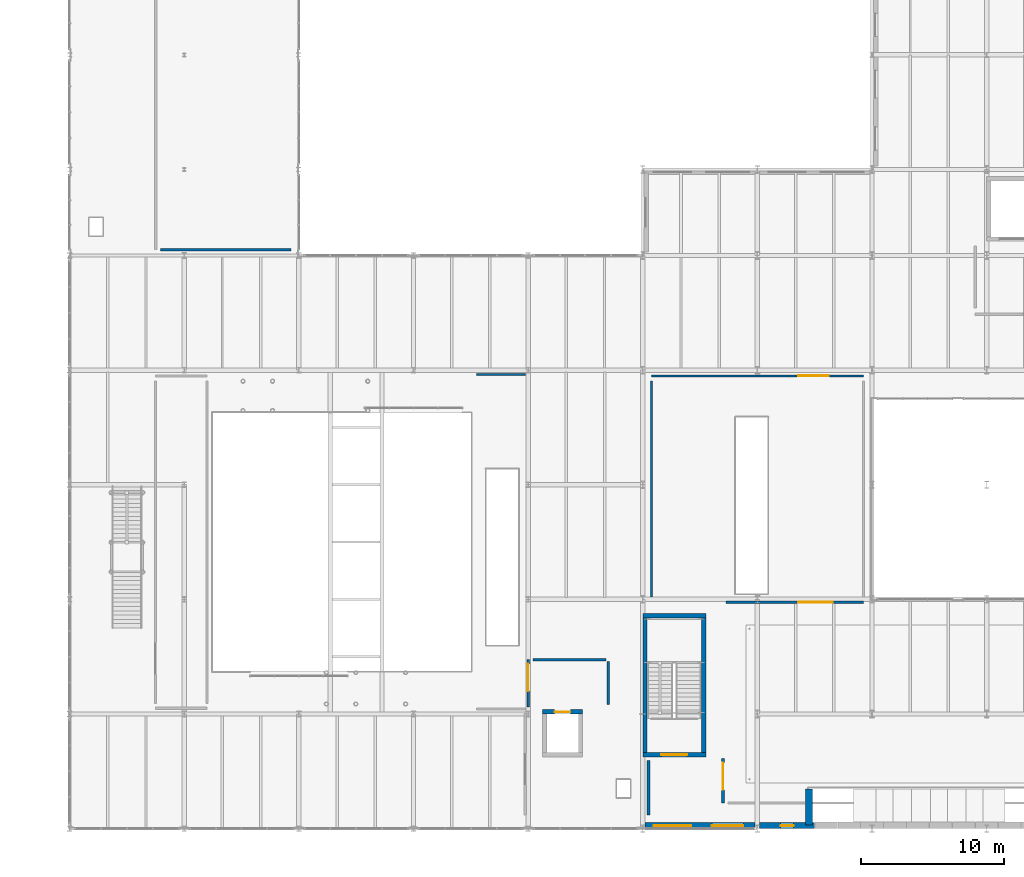
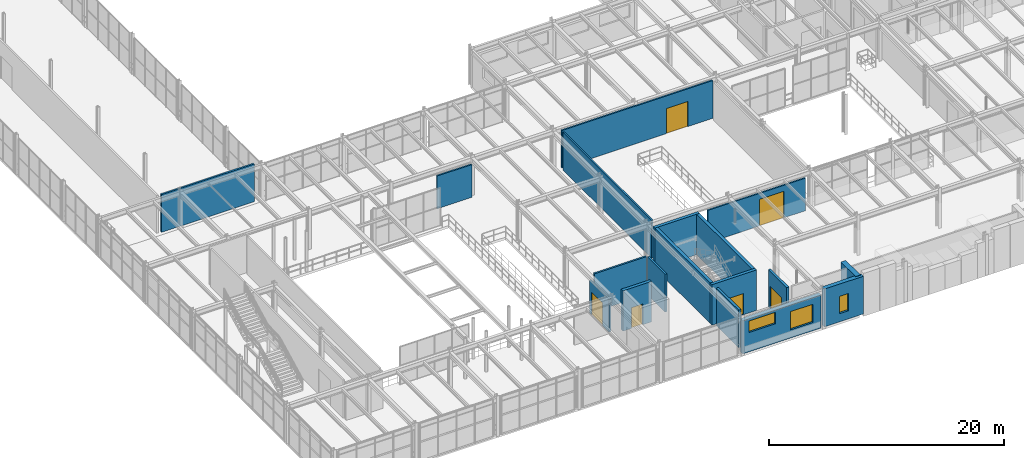
# One storey, part 84 of 122: 18 walls, 6 doors, 3 windows, 9 openings.
"""IFC4 building model written with IfcOpenShell, lengths in metres."""

import ifcopenshell
import ifcopenshell.guid

model = None  # the IFC model being written
_history = None  # IfcOwnerHistory: only IFC2X3 demands one
_inside = {}  # id of a spatial element -> (the spatial element, [elements in it])
_under = {}  # id of a project, library or spatial element -> (it, [spatial elements below it])
_declared = {}  # id of a project -> (the project, [libraries it declares])
_typed = {}  # id of a type object -> (the type object, [elements of that type])
_made_of = {}  # id of a material, layer set ... -> (it, [elements and type objects made of it])


def new_model(schema):
    """Start an empty IFC model of exactly this schema.

    Asked for "IFC4X3", IfcOpenShell would pick the latest addendum, in which some entities
    have other attributes; the version numbers below select the first issue.
    IFC2X3 requires an IfcOwnerHistory on every rooted entity: one is made here for all.
    """
    global model, _history
    if schema == "IFC4X3":
        model = ifcopenshell.file(schema_version=(4, 3, 0, 0))
    else:
        model = ifcopenshell.file(schema=schema)
    _inside.clear()
    _under.clear()
    _declared.clear()
    _typed.clear()
    _made_of.clear()
    _history = None
    if model.schema == "IFC2X3":
        org = make("IfcOrganization", Name="unknown")
        user = make(
            "IfcPersonAndOrganization",
            ThePerson=make("IfcPerson", FamilyName="unknown"),
            TheOrganization=org,
        )
        app = make(
            "IfcApplication",
            ApplicationDeveloper=org,
            Version="unknown",
            ApplicationFullName="unknown",
            ApplicationIdentifier="unknown",
        )
        _history = make(
            "IfcOwnerHistory",
            OwningUser=user,
            OwningApplication=app,
            ChangeAction="ADDED",
            CreationDate=0,
        )
    return model


def make(cls, **values):
    """One entity of the class cls with the attributes given. An attribute that is None is left unset."""
    return model.create_entity(
        cls, **{name: value for name, value in values.items() if value is not None}
    )


def rooted(cls, **values):
    """An entity with a GlobalId (a new one), such as an element, a storey or a relation."""
    return make(cls, GlobalId=ifcopenshell.guid.new(), OwnerHistory=_history, **values)


def si_unit(unit_type, name, prefix=None):
    """IfcSIUnit, for example si_unit("LENGTHUNIT", "METRE", prefix="MILLI")."""
    return make("IfcSIUnit", UnitType=unit_type, Prefix=prefix, Name=name)


def assignment(units):
    """IfcUnitAssignment: the units of a project."""
    return None if units is None else make("IfcUnitAssignment", Units=units)


def point(xyz):
    """IfcCartesianPoint."""
    return None if xyz is None else make("IfcCartesianPoint", Coordinates=xyz)


def direction(xyz):
    """IfcDirection."""
    return None if xyz is None else make("IfcDirection", DirectionRatios=xyz)


def frame(location, z_axis=None, x_axis=None):
    """IfcAxis2Placement3D, a coordinate frame: its origin and axes. An axis left out is left unset."""
    return make(
        "IfcAxis2Placement3D",
        Location=point(location),
        Axis=direction(z_axis),
        RefDirection=direction(x_axis),
    )


def frame_2d(location, x_axis=None):
    """IfcAxis2Placement2D, a coordinate frame in the plane: its origin and x axis."""
    return make(
        "IfcAxis2Placement2D", Location=point(location), RefDirection=direction(x_axis)
    )


def origin():
    """The frame at (0, 0, 0) with its axes left unset."""
    return frame((0.0, 0.0, 0.0))


def place(relative_to, where):
    """IfcLocalPlacement: puts the frame where relative to a parent placement (None: the world)."""
    return make(
        "IfcLocalPlacement", PlacementRelTo=relative_to, RelativePlacement=where
    )


def context(
    kind, dimensions, precision=None, world=None, true_north=None, identifier=None
):
    """IfcGeometricRepresentationContext, for example the 3D "Model" context."""
    return make(
        "IfcGeometricRepresentationContext",
        ContextIdentifier=identifier,
        ContextType=kind,
        CoordinateSpaceDimension=dimensions,
        Precision=precision,
        WorldCoordinateSystem=world,
        TrueNorth=true_north,
    )


def subcontext(parent, identifier, kind, view, scale=None):
    """IfcGeometricRepresentationSubContext, for example "Body" below "Model"."""
    return make(
        "IfcGeometricRepresentationSubContext",
        ContextIdentifier=identifier,
        ContextType=kind,
        ParentContext=parent,
        TargetScale=scale,
        TargetView=view,
    )


def project(units=None, contexts=None):
    """IfcProject with its units and contexts."""
    return rooted(
        "IfcProject",
        Name="project",
        RepresentationContexts=contexts,
        UnitsInContext=assignment(units),
    )


def spatial(cls, under=None, at=None, **own):
    """A site, building, storey or space (cls), placed at a placement, below another one or the project."""
    s = rooted(cls, ObjectPlacement=at, **own)
    if under is not None:
        _under.setdefault(under.id(), (under, []))[1].append(s)
    return s


def profile(cls, at=None, kind="AREA", **sizes):
    """A parametric profile (cls). Its sizes go by their IFC names, for example OverallWidth=200.0."""
    return make(cls, ProfileType=kind, Position=at, **sizes)


def rectangle(**sizes):
    """IfcRectangleProfileDef."""
    return profile("IfcRectangleProfileDef", **sizes)


def extrude(swept, where, along, depth):
    """IfcExtrudedAreaSolid: the profile swept, set in the frame where, extruded along a direction by depth."""
    return make(
        "IfcExtrudedAreaSolid",
        SweptArea=swept,
        Position=where,
        ExtrudedDirection=direction(along),
        Depth=depth,
    )


def shape(context_of_items, identifier, shape_type, items):
    """IfcShapeRepresentation: the items that make up one representation, for example the "Body"."""
    return make(
        "IfcShapeRepresentation",
        ContextOfItems=context_of_items,
        RepresentationIdentifier=identifier,
        RepresentationType=shape_type,
        Items=items,
    )


def material(Name=None, Category=None):
    """IfcMaterial."""
    return make("IfcMaterial", Name=Name, Category=Category)


def layer(
    of_material, thickness, ventilated=None, Name=None, Category=None, Priority=None
):
    """IfcMaterialLayer: one layer of a wall or slab, of a material (None: an air gap)."""
    return make(
        "IfcMaterialLayer",
        Material=of_material,
        LayerThickness=thickness,
        IsVentilated=ventilated,
        Name=Name,
        Category=Category,
        Priority=Priority,
    )


def layer_set(layers, Name=None):
    """IfcMaterialLayerSet."""
    return make("IfcMaterialLayerSet", MaterialLayers=layers, LayerSetName=Name)


def made_of(thing, what):
    """Note that an element or type object is made of a material, layer set ...; save() writes the relation."""
    if what is not None:
        _made_of.setdefault(what.id(), (what, []))[1].append(thing)
    return thing


def type_object(cls, material=None, **own):
    """A type object (cls), such as IfcWallType, which elements share."""
    return made_of(rooted(cls, **own), material)


def element(
    cls,
    number,
    at=None,
    inside=None,
    cuts=None,
    type_object=None,
    material=None,
    context=None,
    identifier="Body",
    shape_type=None,
    held_by="IfcProductDefinitionShape",
    body=None,
    shapes=None,
    **own,
):
    """One element of the class cls, such as IfcWall. Its Tag is "e" and its number.

    at: its placement. inside: the storey or other place that contains it. cuts: it is an
    opening in that element (IfcRelVoidsElement). A single representation is given by context,
    identifier, shape_type and body (its items); several are given by shapes. held_by: the class
    of the entity that holds the representations. save() writes the other relations.
    """
    e = rooted(cls, Tag="e%d" % number, ObjectPlacement=at, **own)
    if body is not None:
        shapes = [shape(context, identifier, shape_type, body)]
    if shapes is not None:
        e.Representation = make(held_by, Representations=shapes)
    if inside is not None:
        _inside.setdefault(inside.id(), (inside, []))[1].append(e)
    if cuts is not None:
        rooted(
            "IfcRelVoidsElement", RelatingBuildingElement=cuts, RelatedOpeningElement=e
        )
    if type_object is not None:
        _typed.setdefault(type_object.id(), (type_object, []))[1].append(e)
    return made_of(e, material)


def fill(opening, filler):
    """IfcRelFillsElement: the door or window that sits in an opening."""
    return rooted(
        "IfcRelFillsElement",
        RelatingOpeningElement=opening,
        RelatedBuildingElement=filler,
    )


def aggregate(whole, parts):
    """IfcRelAggregates: a whole, such as a stair, and the parts it consists of."""
    return rooted("IfcRelAggregates", RelatingObject=whole, RelatedObjects=parts)


def save(model, path):
    """Write the relations noted so far, then the file.

    IfcRelAggregates (storeys below a building ...), IfcRelContainedInSpatialStructure (elements
    in a storey), IfcRelDefinesByType, IfcRelAssociatesMaterial and IfcRelDeclares: one each for
    every whole, place, type object, material and project.
    """
    for whole, parts in _under.values():
        aggregate(whole, parts)
    for where, things in _inside.values():
        rooted(
            "IfcRelContainedInSpatialStructure",
            RelatedElements=things,
            RelatingStructure=where,
        )
    for kind, things in _typed.values():
        rooted("IfcRelDefinesByType", RelatedObjects=things, RelatingType=kind)
    for what, things in _made_of.values():
        rooted("IfcRelAssociatesMaterial", RelatedObjects=things, RelatingMaterial=what)
    for by, libraries in _declared.values():
        rooted("IfcRelDeclares", RelatingContext=by, RelatedDefinitions=libraries)
    model.write(path)


model = new_model("IFC4")

# Units and contexts
model_context = context("Model", 3, precision=1e-05, world=origin(), true_north=direction((0.0, 1.0)))
body_context = subcontext(model_context, "Body", "Model", "MODEL_VIEW")
ifc_project = project(units=[si_unit("LENGTHUNIT", "METRE"), si_unit("AREAUNIT", "SQUARE_METRE"), si_unit("VOLUMEUNIT", "CUBIC_METRE"), si_unit("PLANEANGLEUNIT", "RADIAN"), si_unit("MASSUNIT", "GRAM", prefix="KILO")], contexts=[model_context])

# Site, building, storey
site_placement = place(None, origin())
site = spatial("IfcSite", under=ifc_project, at=site_placement, CompositionType="ELEMENT")
building_placement = place(site_placement, origin())
building = spatial("IfcBuilding", under=site, at=building_placement, Name="Sundkrona Museum", CompositionType="ELEMENT")
storey_placement = place(building_placement, frame((0.0, 0.0, 5.39990234375)))
storey = spatial("IfcBuildingStorey", under=building, at=storey_placement, Name="L01", CompositionType="ELEMENT", Elevation=5.39990234375)

# Wall, opening, door
ifc_material_1 = material(Name="Concrete C40/50", Category="concrete")
ifc_layer_1 = layer(ifc_material_1, 0.300048828125)
ifc_layer_set_1 = layer_set([ifc_layer_1], Name="Concrete C40/50")
wall_type_1 = type_object("IfcWallType", Name="W-CORE-300", PredefinedType="SHEAR", material=ifc_layer_set_1)
wall_1_placement = place(storey_placement, frame((120.0, 5.14990234375, 0.0), z_axis=(0.0, 0.0, 1.0), x_axis=(1.0, 0.0, 0.0)))
wall_1 = element("IfcWall", 1, at=wall_1_placement, inside=storey, type_object=wall_type_1, Name="L01 ST-2 Core Shear Wall South", PredefinedType="SHEAR", context=body_context, shape_type="SweptSolid", body=[
    extrude(rectangle(XDim=4.39990234375, YDim=0.300048828125, at=frame_2d((2.199951171875, 0.0))), origin(), (0.0, 0.0, 1.0), 4.2001953125),
])
opening_1_placement = place(wall_1_placement, frame((1.300048828125, 0.0, 0.0)))
opening_1 = element("IfcOpeningElement", 2, at=opening_1_placement, cuts=wall_1, Name="Opening D-FD60", PredefinedType="OPENING", context=body_context, shape_type="SweptSolid", body=[
    extrude(rectangle(XDim=1.800048828125, YDim=2.199951171875, at=frame_2d((0.89990234375, 1.10009765625))), frame((0.0, 0.159912109375, 0.0), z_axis=(0.0, -1.0, 0.0), x_axis=(1.0, 0.0, 0.0)), (0.0, 0.0, 1.0), 0.320068359375),
])
ifc_material_2 = material(Name="Steel S355J2 Fire Door Leaf", Category="steel")
door_type_1 = type_object("IfcDoorType", Name="D-FD60", OperationType="DOUBLE_DOOR_SINGLE_SWING", PredefinedType="DOOR", material=ifc_material_2)
door_1_placement = place(opening_1_placement, origin())
door_1 = element("IfcDoor", 3, at=door_1_placement, inside=storey, type_object=door_type_1, Name="L01 ST-2 Protected Escape Stair Door DR-ST-2-L01", OperationType="DOUBLE_DOOR_SINGLE_SWING", OverallHeight=2.199951171875, OverallWidth=1.800048828125, PredefinedType="DOOR", context=body_context, shape_type="SweptSolid", body=[
    extrude(rectangle(XDim=1.800048828125, YDim=2.199951171875, at=frame_2d((0.89990234375, 1.10009765625))), frame((0.0, 0.02490234375, 0.0), z_axis=(0.0, -1.0, 0.0), x_axis=(1.0, 0.0, 0.0)), (0.0, 0.0, 1.0), 0.050048828125),
])
fill(opening_1, door_1)

# Walls
wall_2_placement = place(storey_placement, frame((120.0, 14.85009765625, 0.0), z_axis=(0.0, 0.0, 1.0), x_axis=(1.0, 0.0, 0.0)))
element("IfcWall", 4, at=wall_2_placement, inside=storey, type_object=wall_type_1, Name="L01 ST-2 Core Shear Wall North", PredefinedType="SHEAR", context=body_context, shape_type="SweptSolid", body=[
    extrude(rectangle(XDim=4.39990234375, YDim=0.300048828125, at=frame_2d((2.199951171875, 0.0))), origin(), (0.0, 0.0, 1.0), 4.2001953125),
])
for number, where, z_axis, x_axis, name in (
    (5, (120.14990234375, 5.31005859375, 0.0), (0.0, 0.0, 1.0), (0.0, 1.0, 0.0), "L01 ST-2 Core Shear Wall West"),
    (6, (124.25, 5.31005859375, 0.0), (0.0, 0.0, 1.0), (0.0, 1.0, 0.0), "L01 ST-2 Core Shear Wall East"),
):
    element("IfcWall", number, at=place(storey_placement, frame(where, z_axis=z_axis, x_axis=x_axis)), inside=storey, type_object=wall_type_1, Name=name, PredefinedType="SHEAR", context=body_context, shape_type="SweptSolid", body=[
        extrude(rectangle(XDim=9.3798828125, YDim=0.300048828125, at=frame_2d((4.68994140625, 0.0))), origin(), (0.0, 0.0, 1.0), 4.2001953125),
    ])

# Wall, opening, door
wall_3_placement = place(storey_placement, frame((113.0, 8.14990234375, 0.0), z_axis=(0.0, 0.0, 1.0), x_axis=(1.0, 0.0, 0.0)))
wall_3 = element("IfcWall", 7, at=wall_3_placement, inside=storey, type_object=wall_type_1, Name="L01 PL-2 Lift Shaft Wall North", PredefinedType="SHEAR", context=body_context, shape_type="SweptSolid", body=[
    extrude(rectangle(XDim=2.800048828125, YDim=0.300048828125, at=frame_2d((1.39990234375, 0.0))), origin(), (0.0, 0.0, 1.0), 4.2001953125),
])
opening_2_placement = place(wall_3_placement, frame((0.85009765625, 0.0, 0.0)))
opening_2 = element("IfcOpeningElement", 8, at=opening_2_placement, cuts=wall_3, Name="Opening LD-01", PredefinedType="OPENING", context=body_context, shape_type="SweptSolid", body=[
    extrude(rectangle(XDim=1.10009765625, YDim=2.14990234375, at=frame_2d((0.550048828125, 1.074951171875))), frame((0.0, 0.159912109375, 0.0), z_axis=(0.0, -1.0, 0.0), x_axis=(1.0, 0.0, 0.0)), (0.0, 0.0, 1.0), 0.320068359375),
])
ifc_material_3 = material(Name="Brushed Stainless Steel Lift Door", Category="steel")
door_type_2 = type_object("IfcDoorType", Name="LD-01", OperationType="SLIDING_TO_LEFT", PredefinedType="DOOR", material=ifc_material_3)
door_2_placement = place(opening_2_placement, origin())
door_2 = element("IfcDoor", 9, at=door_2_placement, inside=storey, type_object=door_type_2, Name="L01 Public Gallery Passenger Lift PL-2 Landing Door DR-LIFT-PL-2-L01", OperationType="SLIDING_TO_LEFT", OverallHeight=2.14990234375, OverallWidth=1.10009765625, PredefinedType="DOOR", context=body_context, shape_type="SweptSolid", body=[
    extrude(rectangle(XDim=1.10009765625, YDim=2.14990234375, at=frame_2d((0.550048828125, 1.074951171875))), frame((0.0, 0.02490234375, 0.0), z_axis=(0.0, -1.0, 0.0), x_axis=(1.0, 0.0, 0.0)), (0.0, 0.0, 1.0), 0.050048828125),
])
fill(opening_2, door_2)

# Wall, openings, windows
ifc_material_4 = material(Name="Scanian Polychrome Clay Brickwork 420 mm", Category="masonry")
ifc_layer_2 = layer(ifc_material_4, 0.419921875)
ifc_layer_set_2 = layer_set([ifc_layer_2], Name="Scanian Polychrome Clay Brickwork 420 mm")
wall_type_2 = type_object("IfcWallType", Name="W-EX-420", PredefinedType="SOLIDWALL", material=ifc_layer_set_2)
wall_4_placement = place(storey_placement, frame((127.847900390625, 0.2099609375, 0.0), z_axis=(0.0, 0.0, 1.0), x_axis=(-1.0, 0.0, 0.0)))
wall_4 = element("IfcWall", 10, at=wall_4_placement, inside=storey, type_object=wall_type_2, Name="L01 Facade Wall 0012", PredefinedType="SOLIDWALL", context=body_context, shape_type="SweptSolid", body=[
    extrude(rectangle(XDim=7.69580078125, YDim=0.419921875, at=frame_2d((3.847900390625, 0.0))), origin(), (0.0, 0.0, 1.0), 3.4150390625),
])
opening_3_placement = place(wall_4_placement, frame((0.823974609375, 0.0, 0.85009765625)))
opening_3 = element("IfcOpeningElement", 11, at=opening_3_placement, cuts=wall_4, Name="Opening WN-LB-220x190", PredefinedType="OPENING", context=body_context, shape_type="SweptSolid", body=[
    extrude(rectangle(XDim=2.199951171875, YDim=1.89990234375, at=frame_2d((1.10009765625, 0.949951171875))), frame((0.0, 0.219970703125, 0.0), z_axis=(0.0, -1.0, 0.0), x_axis=(1.0, 0.0, 0.0)), (0.0, 0.0, 1.0), 0.43994140625),
])
opening_4_placement = place(wall_4_placement, frame((4.471923828125, 0.0, 2.0)))
opening_4 = element("IfcOpeningElement", 12, at=opening_4_placement, cuts=wall_4, Name="Opening WN-CL-260x120", PredefinedType="OPENING", context=body_context, shape_type="SweptSolid", body=[
    extrude(rectangle(XDim=2.60009765625, YDim=1.199951171875, at=frame_2d((1.300048828125, 0.60009765625))), frame((0.0, 0.219970703125, 0.0), z_axis=(0.0, -1.0, 0.0), x_axis=(1.0, 0.0, 0.0)), (0.0, 0.0, 1.0), 0.43994140625),
])
ifc_material_5 = material(Name="Triple Low-E Argon Glazing in Bronze-Anodised Aluminium", Category="aluminium")
window_type_1 = type_object("IfcWindowType", Name="WN-CL-260x120", PartitioningType="DOUBLE_PANEL_HORIZONTAL", PredefinedType="WINDOW", material=ifc_material_5)
window_1_placement = place(opening_4_placement, origin())
window_1 = element("IfcWindow", 13, at=window_1_placement, inside=storey, type_object=window_type_1, Name="L01 High-level gallery clerestory ribbon window 2600x1200 WIN-L01-0014", OverallHeight=1.199951171875, OverallWidth=2.60009765625, PartitioningType="DOUBLE_PANEL_HORIZONTAL", PredefinedType="WINDOW", context=body_context, shape_type="SweptSolid", body=[
    extrude(rectangle(XDim=2.60009765625, YDim=1.199951171875, at=frame_2d((1.300048828125, 0.60009765625))), frame((0.0, 0.030029296875, 0.0), z_axis=(0.0, -1.0, 0.0), x_axis=(1.0, 0.0, 0.0)), (0.0, 0.0, 1.0), 0.06005859375),
])
fill(opening_4, window_1)
window_type_2 = type_object("IfcWindowType", Name="WN-LB-220x190", PartitioningType="TRIPLE_PANEL_VERTICAL", PredefinedType="WINDOW", material=ifc_material_5)
window_2_placement = place(opening_3_placement, origin())
window_2 = element("IfcWindow", 14, at=window_2_placement, inside=storey, type_object=window_type_2, Name="L01 Restoration studio north-light window 2200x1900 WIN-L01-0013", OverallHeight=1.89990234375, OverallWidth=2.199951171875, PartitioningType="TRIPLE_PANEL_VERTICAL", PredefinedType="WINDOW", context=body_context, shape_type="SweptSolid", body=[
    extrude(rectangle(XDim=2.199951171875, YDim=1.89990234375, at=frame_2d((1.10009765625, 0.949951171875))), frame((0.0, 0.030029296875, 0.0), z_axis=(0.0, -1.0, 0.0), x_axis=(1.0, 0.0, 0.0)), (0.0, 0.0, 1.0), 0.06005859375),
])
fill(opening_3, window_2)

# Wall, opening, window
wall_5_placement = place(storey_placement, frame((131.989990234375, 0.2099609375, 0.0), z_axis=(0.0, 0.0, 1.0), x_axis=(-1.0, 0.0, 0.0)))
wall_5 = element("IfcWall", 15, at=wall_5_placement, inside=storey, type_object=wall_type_2, Name="L01 Facade Wall 0013", PredefinedType="SOLIDWALL", context=body_context, shape_type="SweptSolid", body=[
    extrude(rectangle(XDim=3.837890625, YDim=0.419921875, at=frame_2d((1.9189453125, 0.0))), origin(), (0.0, 0.0, 1.0), 3.920166015625),
])
opening_5_placement = place(wall_5_placement, frame((1.468994140625, 0.0, 0.85009765625)))
opening_5 = element("IfcOpeningElement", 16, at=opening_5_placement, cuts=wall_5, Name="Opening WN-ST-090x180", PredefinedType="OPENING", context=body_context, shape_type="SweptSolid", body=[
    extrude(rectangle(XDim=0.89990234375, YDim=1.800048828125, at=frame_2d((0.449951171875, 0.89990234375))), frame((0.0, 0.219970703125, 0.0), z_axis=(0.0, -1.0, 0.0), x_axis=(1.0, 0.0, 0.0)), (0.0, 0.0, 1.0), 0.43994140625),
])
window_type_3 = type_object("IfcWindowType", Name="WN-ST-090x180", PartitioningType="SINGLE_PANEL", PredefinedType="WINDOW", material=ifc_material_5)
window_3_placement = place(opening_5_placement, origin())
window_3 = element("IfcWindow", 17, at=window_3_placement, inside=storey, type_object=window_type_3, Name="L01 Stair-core avenue daylight slot window 900x1800 WIN-L01-0015", OverallHeight=1.800048828125, OverallWidth=0.89990234375, PartitioningType="SINGLE_PANEL", PredefinedType="WINDOW", context=body_context, shape_type="SweptSolid", body=[
    extrude(rectangle(XDim=0.89990234375, YDim=1.800048828125, at=frame_2d((0.449951171875, 0.89990234375))), frame((0.0, 0.030029296875, 0.0), z_axis=(0.0, -1.0, 0.0), x_axis=(1.0, 0.0, 0.0)), (0.0, 0.0, 1.0), 0.06005859375),
])
fill(opening_5, window_3)

# Wall, opening, door
ifc_material_6 = material(Name="Autoclaved Aerated Masonry 225 mm", Category="masonry")
ifc_layer_3 = layer(ifc_material_6, 0.22509765625)
ifc_layer_set_3 = layer_set([ifc_layer_3], Name="Autoclaved Aerated Masonry 225 mm")
wall_type_3 = type_object("IfcWallType", Name="W-FF-225", PredefinedType="SOLIDWALL", material=ifc_layer_set_3)
wall_6_placement = place(storey_placement, frame((125.60009765625, 1.800048828125, 0.0), z_axis=(0.0, 0.0, 1.0), x_axis=(0.0, 1.0, 0.0)))
wall_6 = element("IfcWall", 18, at=wall_6_placement, inside=storey, type_object=wall_type_3, Name="L01 Partition Core 2 Stair Lobby / Mineralogy and Geology Cabinet", PredefinedType="SOLIDWALL", context=body_context, shape_type="SweptSolid", body=[
    extrude(rectangle(XDim=3.099853515625, YDim=0.22509765625, at=frame_2d((1.5498046875, 0.0))), origin(), (0.0, 0.0, 1.0), 3.920166015625),
])
opening_6_placement = place(wall_6_placement, frame((0.89990234375, 0.0, 0.0)))
opening_6 = element("IfcOpeningElement", 19, at=opening_6_placement, cuts=wall_6, Name="Opening D-AUD-190", PredefinedType="OPENING", context=body_context, shape_type="SweptSolid", body=[
    extrude(rectangle(XDim=1.89990234375, YDim=2.35009765625, at=frame_2d((0.949951171875, 1.175048828125))), frame((0.0, 0.12255859375, 0.0), z_axis=(0.0, -1.0, 0.0), x_axis=(1.0, 0.0, 0.0)), (0.0, 0.0, 1.0), 0.2451171875),
])
ifc_material_7 = material(Name="Acoustic Oak Fire Door", Category="other")
door_type_3 = type_object("IfcDoorType", Name="D-AUD-190", OperationType="DOUBLE_DOOR_SINGLE_SWING", PredefinedType="DOOR", material=ifc_material_7)
door_3_placement = place(opening_6_placement, origin())
door_3 = element("IfcDoor", 20, at=door_3_placement, inside=storey, type_object=door_type_3, Name="L01 Interior Door DR-ADJ-L01-0081", OperationType="DOUBLE_DOOR_SINGLE_SWING", OverallHeight=2.35009765625, OverallWidth=1.89990234375, PredefinedType="DOOR", context=body_context, shape_type="SweptSolid", body=[
    extrude(rectangle(XDim=1.89990234375, YDim=2.35009765625, at=frame_2d((0.949951171875, 1.175048828125))), frame((0.0, 0.02490234375, 0.0), z_axis=(0.0, -1.0, 0.0), x_axis=(1.0, 0.0, 0.0)), (0.0, 0.0, 1.0), 0.050048828125),
])
fill(opening_6, door_3)

# Walls
wall_7_placement = place(storey_placement, frame((120.39990234375, 0.949951171875, 0.0), z_axis=(0.0, 0.0, 1.0), x_axis=(0.0, 1.0, 0.0)))
element("IfcWall", 21, at=wall_7_placement, inside=storey, type_object=wall_type_3, Name="L01 Core 2 Stair Lobby Enclosure Wall W", PredefinedType="SOLIDWALL", context=body_context, shape_type="SweptSolid", body=[
    extrude(rectangle(XDim=3.800048828125, YDim=0.22509765625, at=frame_2d((1.89990234375, 0.0))), origin(), (0.0, 0.0, 1.0), 3.920166015625),
])
ifc_material_8 = material(Name="Danian Limestone Ashlar Masonry 480 mm", Category="masonry")
ifc_layer_4 = layer(ifc_material_8, 0.47998046875)
ifc_layer_set_4 = layer_set([ifc_layer_4], Name="Danian Limestone Ashlar Masonry 480 mm")
wall_type_4 = type_object("IfcWallType", Name="W-LIM-480", PredefinedType="SOLIDWALL", material=ifc_layer_set_4)
wall_8_placement = place(storey_placement, frame((131.60009765625, 0.239990234375, 0.0), z_axis=(0.0, 0.0, 1.0), x_axis=(0.0, 1.0, 0.0)))
element("IfcWall", 22, at=wall_8_placement, inside=storey, type_object=wall_type_4, Name="L01 Oculus Deep Reveal West Wall", PredefinedType="SOLIDWALL", context=body_context, shape_type="SweptSolid", body=[
    extrude(rectangle(XDim=2.510009765625, YDim=0.47998046875, at=frame_2d((1.2548828125, 0.0))), origin(), (0.0, 0.0, 1.0), 3.960205078125),
])
ifc_material_9 = material(Name="Acoustic Gypsum Partition Board 150 mm", Category="other")
ifc_layer_5 = layer(ifc_material_9, 0.14990234375)
ifc_layer_set_5 = layer_set([ifc_layer_5], Name="Acoustic Gypsum Partition Board 150 mm")
wall_type_5 = type_object("IfcWallType", Name="W-PT-150", PredefinedType="PARTITIONING", material=ifc_layer_set_5)
wall_9_placement = place(storey_placement, frame((108.39990234375, 31.699951171875, 0.0), z_axis=(0.0, 0.0, 1.0), x_axis=(1.0, 0.0, 0.0)))
element("IfcWall", 23, at=wall_9_placement, inside=storey, type_object=wall_type_5, Name="L01 Partition Atrium Rim Promenade / Atrium East Promenade", PredefinedType="PARTITIONING", context=body_context, shape_type="SweptSolid", body=[
    extrude(rectangle(XDim=3.400146484375, YDim=0.14990234375, at=frame_2d((1.7001953125, 0.0))), origin(), (0.0, 0.0, 1.0), 3.400146484375),
])

# Wall, opening, door
wall_10_placement = place(storey_placement, frame((120.60009765625, 31.60009765625, 0.0), z_axis=(0.0, 0.0, 1.0), x_axis=(1.0, 0.0, 0.0)))
wall_10 = element("IfcWall", 24, at=wall_10_placement, inside=storey, type_object=wall_type_5, Name="L01 Partition Atrium Rim Promenade / Paleobotany Cabinet Gallery", PredefinedType="PARTITIONING", context=body_context, shape_type="SweptSolid", body=[
    extrude(rectangle(XDim=14.7998046875, YDim=0.14990234375, at=frame_2d((7.39990234375, 0.0))), origin(), (0.0, 0.0, 1.0), 3.920166015625),
])
opening_7_placement = place(wall_10_placement, frame((10.2646484375, 0.0, 0.0)))
opening_7 = element("IfcOpeningElement", 25, at=opening_7_placement, cuts=wall_10, Name="Opening D-GAL-210", PredefinedType="OPENING", context=body_context, shape_type="SweptSolid", body=[
    extrude(rectangle(XDim=2.10009765625, YDim=2.60009765625, at=frame_2d((1.050048828125, 1.300048828125))), frame((0.0, 0.0849609375, 0.0), z_axis=(0.0, -1.0, 0.0), x_axis=(1.0, 0.0, 0.0)), (0.0, 0.0, 1.0), 0.169921875),
])
ifc_material_10 = material(Name="European Oak Gallery Door", Category="other")
door_type_4 = type_object("IfcDoorType", Name="D-GAL-210", OperationType="DOUBLE_DOOR_SINGLE_SWING", PredefinedType="DOOR", material=ifc_material_10)
door_4_placement = place(opening_7_placement, origin())
door_4 = element("IfcDoor", 26, at=door_4_placement, inside=storey, type_object=door_type_4, Name="L01 Interior Door DR-ADJ-L01-0090", OperationType="DOUBLE_DOOR_SINGLE_SWING", OverallHeight=2.60009765625, OverallWidth=2.10009765625, PredefinedType="DOOR", context=body_context, shape_type="SweptSolid", body=[
    extrude(rectangle(XDim=2.10009765625, YDim=2.60009765625, at=frame_2d((1.050048828125, 1.300048828125))), frame((0.0, 0.02490234375, 0.0), z_axis=(0.0, -1.0, 0.0), x_axis=(1.0, 0.0, 0.0)), (0.0, 0.0, 1.0), 0.050048828125),
])
fill(opening_7, door_4)

wall_11_placement = place(storey_placement, frame((125.800048828125, 15.800048828125, 0.0), z_axis=(0.0, 0.0, 1.0), x_axis=(1.0, 0.0, 0.0)))
wall_11 = element("IfcWall", 27, at=wall_11_placement, inside=storey, type_object=wall_type_5, Name="L01 Partition Mineralogy and Geology Cabinet / Paleobotany Cabinet Gallery", PredefinedType="PARTITIONING", context=body_context, shape_type="SweptSolid", body=[
    extrude(rectangle(XDim=9.599853515625, YDim=0.14990234375, at=frame_2d((4.7998046875, 0.0))), origin(), (0.0, 0.0, 1.0), 3.380126953125),
])
opening_8_placement = place(wall_11_placement, frame((5.066650390625, 0.0, 0.0)))
opening_8 = element("IfcOpeningElement", 28, at=opening_8_placement, cuts=wall_11, Name="Opening D-GAL-240", PredefinedType="OPENING", context=body_context, shape_type="SweptSolid", body=[
    extrude(rectangle(XDim=2.39990234375, YDim=2.75, at=frame_2d((1.199951171875, 1.375))), frame((0.0, 0.0849609375, 0.0), z_axis=(0.0, -1.0, 0.0), x_axis=(1.0, 0.0, 0.0)), (0.0, 0.0, 1.0), 0.169921875),
])
ifc_material_11 = material(Name="European Oak and Bronze Portal", Category="other")
door_type_5 = type_object("IfcDoorType", Name="D-GAL-240", OperationType="DOUBLE_DOOR_DOUBLE_SWING", PredefinedType="DOOR", material=ifc_material_11)
door_5_placement = place(opening_8_placement, origin())
door_5 = element("IfcDoor", 29, at=door_5_placement, inside=storey, type_object=door_type_5, Name="L01 Interior Door DR-ADJ-L01-0106", OperationType="DOUBLE_DOOR_DOUBLE_SWING", OverallHeight=2.75, OverallWidth=2.39990234375, PredefinedType="DOOR", context=body_context, shape_type="SweptSolid", body=[
    extrude(rectangle(XDim=2.39990234375, YDim=2.75, at=frame_2d((1.199951171875, 1.375))), frame((0.0, 0.02490234375, 0.0), z_axis=(0.0, -1.0, 0.0), x_axis=(1.0, 0.0, 0.0)), (0.0, 0.0, 1.0), 0.050048828125),
])
fill(opening_8, door_5)

# Wall
wall_12_placement = place(storey_placement, frame((120.60009765625, 16.14990234375, 0.0), z_axis=(0.0, 0.0, 1.0), x_axis=(0.0, 1.0, 0.0)))
element("IfcWall", 30, at=wall_12_placement, inside=storey, type_object=wall_type_5, Name="L01 Paleobotany Cabinet Gallery Enclosure Wall W", PredefinedType="PARTITIONING", context=body_context, shape_type="SweptSolid", body=[
    extrude(rectangle(XDim=15.10009765625, YDim=0.14990234375, at=frame_2d((7.550048828125, 0.0))), origin(), (0.0, 0.0, 1.0), 3.920166015625),
])

# Wall, opening, door
ifc_material_12 = material(Name="Fire-rated Gypsum Partition Board 175 mm", Category="other")
ifc_layer_6 = layer(ifc_material_12, 0.175048828125)
ifc_layer_set_6 = layer_set([ifc_layer_6], Name="Fire-rated Gypsum Partition Board 175 mm")
wall_type_6 = type_object("IfcWallType", Name="W-PT-175", PredefinedType="PARTITIONING", material=ifc_layer_set_6)
wall_13_placement = place(storey_placement, frame((112.0, 8.5, 0.0), z_axis=(0.0, 0.0, 1.0), x_axis=(0.0, 1.0, 0.0)))
wall_13 = element("IfcWall", 31, at=wall_13_placement, inside=storey, type_object=wall_type_6, Name="L01 Partition Atrium Lift Lobby / Atrium East Promenade", PredefinedType="PARTITIONING", context=body_context, shape_type="SweptSolid", body=[
    extrude(rectangle(XDim=3.300048828125, YDim=0.175048828125, at=frame_2d((1.64990234375, 0.0))), origin(), (0.0, 0.0, 1.0), 3.400146484375),
])
opening_9_placement = place(wall_13_placement, frame((1.10009765625, 0.0, 0.0)))
opening_9 = element("IfcOpeningElement", 32, at=opening_9_placement, cuts=wall_13, Name="Opening D-AUD-190", PredefinedType="OPENING", context=body_context, shape_type="SweptSolid", body=[
    extrude(rectangle(XDim=1.89990234375, YDim=2.35009765625, at=frame_2d((0.949951171875, 1.175048828125))), frame((0.0, 0.097412109375, 0.0), z_axis=(0.0, -1.0, 0.0), x_axis=(1.0, 0.0, 0.0)), (0.0, 0.0, 1.0), 0.195068359375),
])
door_6_placement = place(opening_9_placement, origin())
door_6 = element("IfcDoor", 33, at=door_6_placement, inside=storey, type_object=door_type_3, Name="L01 Interior Door DR-ADJ-L01-0082", OperationType="DOUBLE_DOOR_SINGLE_SWING", OverallHeight=2.35009765625, OverallWidth=1.89990234375, PredefinedType="DOOR", context=body_context, shape_type="SweptSolid", body=[
    extrude(rectangle(XDim=1.89990234375, YDim=2.35009765625, at=frame_2d((0.949951171875, 1.175048828125))), frame((0.0, 0.02490234375, 0.0), z_axis=(0.0, -1.0, 0.0), x_axis=(1.0, 0.0, 0.0)), (0.0, 0.0, 1.0), 0.050048828125),
])
fill(opening_9, door_6)

# Walls
wall_14_placement = place(storey_placement, frame((112.35009765625, 11.800048828125, 0.0), z_axis=(0.0, 0.0, 1.0), x_axis=(1.0, 0.0, 0.0)))
element("IfcWall", 34, at=wall_14_placement, inside=storey, type_object=wall_type_6, Name="L01 Atrium Lift Lobby Enclosure Wall N", PredefinedType="PARTITIONING", context=body_context, shape_type="SweptSolid", body=[
    extrude(rectangle(XDim=5.099853515625, YDim=0.175048828125, at=frame_2d((2.5498046875, 0.0))), origin(), (0.0, 0.0, 1.0), 3.940185546875),
])
wall_15_placement = place(storey_placement, frame((117.60009765625, 8.64990234375, 0.0), z_axis=(0.0, 0.0, 1.0), x_axis=(0.0, 1.0, 0.0)))
element("IfcWall", 35, at=wall_15_placement, inside=storey, type_object=wall_type_6, Name="L01 Atrium Lift Lobby Enclosure Wall E", PredefinedType="PARTITIONING", context=body_context, shape_type="SweptSolid", body=[
    extrude(rectangle(XDim=3.0, YDim=0.175048828125, at=frame_2d((1.5, 0.0))), origin(), (0.0, 0.0, 1.0), 3.940185546875),
])
wall_16_placement = place(storey_placement, frame((86.35009765625, 40.39990234375, 0.0), z_axis=(0.0, 0.0, 1.0), x_axis=(1.0, 0.0, 0.0)))
element("IfcWall", 36, at=wall_16_placement, inside=storey, type_object=wall_type_6, Name="L01 Education Studio Enclosure Wall S", PredefinedType="PARTITIONING", context=body_context, shape_type="SweptSolid", body=[
    extrude(rectangle(XDim=9.099853515625, YDim=0.175048828125, at=frame_2d((4.5498046875, 0.0))), origin(), (0.0, 0.0, 1.0), 3.920166015625),
])

save(model, "model.ifc")
